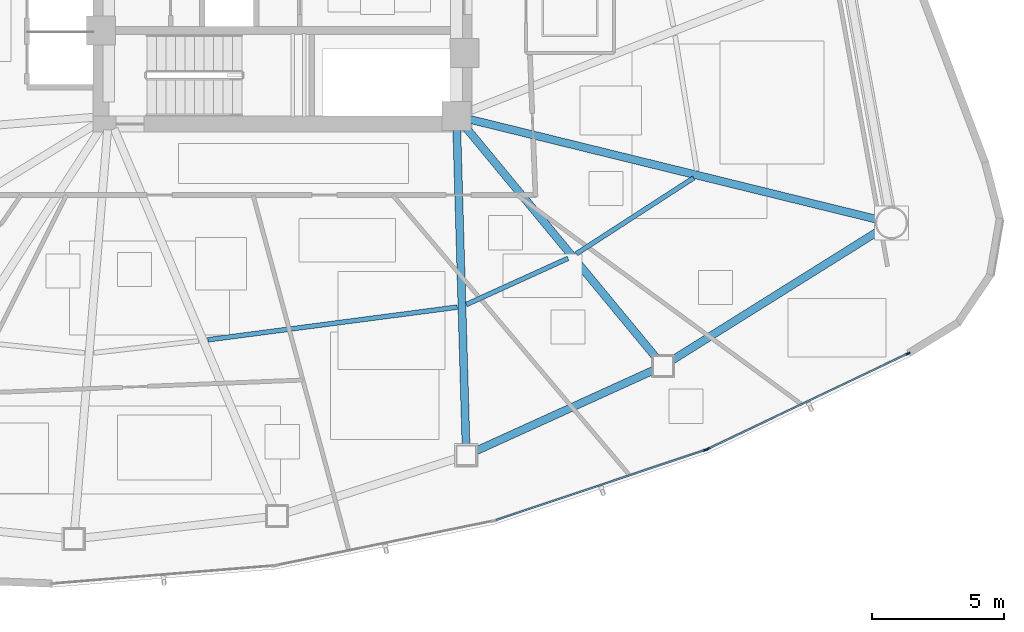
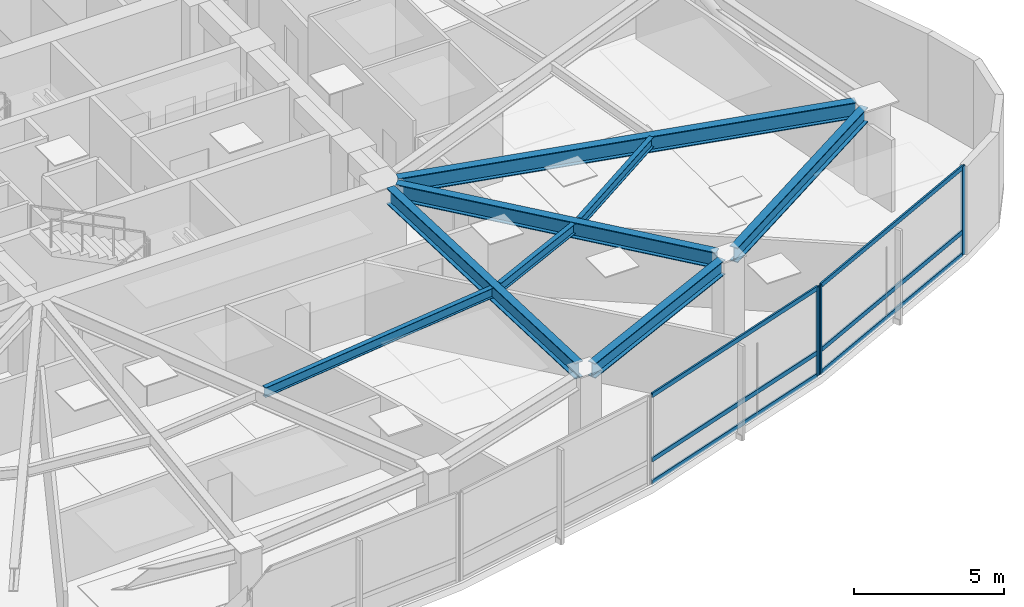
# One storey, part 6 of 18: 9 members, 8 beams, 2 elements without a shape of their own.
"""IFC4 building model written with IfcOpenShell, lengths in metres."""

from ifc_helpers import new_model, si_unit, direction, frame, origin, origin_2d, place, context, subcontext, project, spatial, hollow_rectangle, i_section, extrude, source, transform, mapped, material, layer, layer_set, material_profile, profile_set, type_object, type_shapes, element, aggregate, save


model = new_model("IFC4")

# Units and contexts
model_context = context("Model", 3, precision=1e-05, world=origin(), true_north=direction((0.0, 1.0)))
body_context = subcontext(model_context, "Body", "Model", "MODEL_VIEW")
ifc_project = project(units=[si_unit("LENGTHUNIT", "METRE"), si_unit("AREAUNIT", "SQUARE_METRE"), si_unit("VOLUMEUNIT", "CUBIC_METRE"), si_unit("PLANEANGLEUNIT", "RADIAN"), si_unit("MASSUNIT", "GRAM", prefix="KILO")], contexts=[model_context])

# Site, building, storey
site_placement = place(None, origin())
site = spatial("IfcSite", under=ifc_project, at=site_placement, CompositionType="ELEMENT")
building_placement = place(site_placement, origin())
building = spatial("IfcBuilding", under=site, at=building_placement, Name="Tavelor Broadcast Tower", CompositionType="ELEMENT")
storey_placement = place(building_placement, frame((0.0, 0.0, 58.800048828125)))
storey = spatial("IfcBuildingStorey", under=building, at=storey_placement, Name="L13", CompositionType="ELEMENT", Elevation=58.800048828125)

# Beams
ifc_material_1 = material(Name="Steel S355", Category="steel")
ifc_material_profile_1 = material_profile(ifc_material_1, i_section(OverallWidth=0.179931640625, OverallDepth=0.39990234375, WebThickness=0.008544921875, FlangeThickness=0.013427734375, at=origin_2d()), Name="IPE 400")
ifc_profile_set_1 = profile_set([ifc_material_profile_1], Name="Steel S355")
beam_type_1 = type_object("IfcBeamType", Name="Composite Floor Joist T1 IPE 400", PredefinedType="JOIST", material=ifc_profile_set_1)
beam_1_placement = place(storey_placement, frame((47.16259765625, 30.3056640625, 3.39990234375), z_axis=(0.991514230948, 0.129998191635, 0.0), x_axis=(-0.129998191635, 0.991514230948, 0.0)))
element("IfcBeam", 1, at=beam_1_placement, inside=storey, type_object=beam_type_1, Name="L13 Secondary Composite Floor Joist 10", PredefinedType="JOIST", context=body_context, shape_type="SweptSolid", body=[
    extrude(i_section(OverallWidth=0.179931640625, OverallDepth=0.39990234375, WebThickness=0.008544921875, FlangeThickness=0.013427734375, at=origin_2d()), origin(), (0.0, 0.0, 1.0), 9.5498046875),
])
beam_2_placement = place(storey_placement, frame((56.9755859375, 31.6455078125, 3.39990234375), z_axis=(0.910480737696, 0.413551479607, 0.0), x_axis=(-0.413551479607, 0.910480737696, 0.0)))
element("IfcBeam", 2, at=beam_2_placement, inside=storey, type_object=beam_type_1, Name="L13 Secondary Composite Floor Joist 11", PredefinedType="JOIST", context=body_context, shape_type="SweptSolid", body=[
    extrude(i_section(OverallWidth=0.179931640625, OverallDepth=0.39990234375, WebThickness=0.008544921875, FlangeThickness=0.013427734375, at=origin_2d()), origin(), (0.0, 0.0, 1.0), 4.242919921875),
])
beam_3_placement = place(storey_placement, frame((61.1552734375, 33.573486328125, 3.39990234375), z_axis=(0.839582514508, 0.543232179949, 0.0), x_axis=(-0.543232179949, 0.839582514508, 0.0)))
element("IfcBeam", 3, at=beam_3_placement, inside=storey, type_object=beam_type_1, Name="L13 Secondary Composite Floor Joist 12", PredefinedType="JOIST", context=body_context, shape_type="SweptSolid", body=[
    extrude(i_section(OverallWidth=0.179931640625, OverallDepth=0.39990234375, WebThickness=0.008544921875, FlangeThickness=0.013427734375, at=origin_2d()), origin(), (0.0, 0.0, 1.0), 5.300537109375),
])
ifc_material_profile_2 = material_profile(ifc_material_1, i_section(OverallWidth=0.300048828125, OverallDepth=0.60009765625, WebThickness=0.015380859375, FlangeThickness=0.030029296875, at=origin_2d()), Name="HEB 600")
ifc_profile_set_2 = profile_set([ifc_material_profile_2], Name="Steel S355")
beam_type_2 = type_object("IfcBeamType", Name="Perimeter Spandrel Beam T1 HEB 600", PredefinedType="SPANDREL", material=ifc_profile_set_2)
beam_4_placement = place(storey_placement, frame((57.324951171875, 26.080322265625, 3.300048828125), z_axis=(0.910424944341, 0.413674293039, 0.0), x_axis=(-0.413674293039, 0.910424944341, 0.0)))
element("IfcBeam", 4, at=beam_4_placement, inside=storey, type_object=beam_type_2, Name="L13 Framed-Tube Ring Spandrel 11", PredefinedType="SPANDREL", context=body_context, shape_type="SweptSolid", body=[
    extrude(i_section(OverallWidth=0.300048828125, OverallDepth=0.60009765625, WebThickness=0.015380859375, FlangeThickness=0.030029296875, at=origin_2d()), origin(), (0.0, 0.0, 1.0), 7.43505859375),
])
beam_5_placement = place(storey_placement, frame((64.76904296875, 29.518798828125, 3.300048828125), z_axis=(0.847667977469, 0.530527096361, 0.0), x_axis=(-0.530527096361, 0.847667977469, 0.0)))
element("IfcBeam", 5, at=beam_5_placement, inside=storey, type_object=beam_type_2, Name="L13 Framed-Tube Ring Spandrel 12", PredefinedType="SPANDREL", context=body_context, shape_type="SweptSolid", body=[
    extrude(i_section(OverallWidth=0.300048828125, OverallDepth=0.60009765625, WebThickness=0.015380859375, FlangeThickness=0.030029296875, at=origin_2d()), origin(), (0.0, 0.0, 1.0), 9.263916015625),
])
ifc_material_profile_3 = material_profile(ifc_material_1, i_section(OverallWidth=0.300048828125, OverallDepth=0.64990234375, WebThickness=0.01611328125, FlangeThickness=0.031005859375, at=origin_2d()), Name="HEB 650")
ifc_profile_set_3 = profile_set([ifc_material_profile_3], Name="Steel S355")
beam_type_3 = type_object("IfcBeamType", Name="Radial Floor Girder T1 HEB 650", PredefinedType="BEAM", material=ifc_profile_set_3)
beam_6_placement = place(storey_placement, frame((56.615478515625, 38.272216796875, 3.27490234375), z_axis=(0.02912098859, -0.999575894079, 0.0), x_axis=(0.999575894079, 0.02912098859, 0.0)))
element("IfcBeam", 6, at=beam_6_placement, inside=storey, type_object=beam_type_3, Name="L13 Radial Primary Floor Girder 11", PredefinedType="BEAM", context=body_context, shape_type="SweptSolid", body=[
    extrude(i_section(OverallWidth=0.300048828125, OverallDepth=0.64990234375, WebThickness=0.01611328125, FlangeThickness=0.031005859375, at=origin_2d()), origin(), (0.0, 0.0, 1.0), 11.971923828125),
])
beam_7_placement = place(storey_placement, frame((56.9365234375, 38.39306640625, 3.27490234375), z_axis=(0.63726338108, -0.770646081632, 0.0), x_axis=(0.770646081632, 0.63726338108, 0.0)))
element("IfcBeam", 7, at=beam_7_placement, inside=storey, type_object=beam_type_3, Name="L13 Radial Primary Floor Girder 12", PredefinedType="BEAM", context=body_context, shape_type="SweptSolid", body=[
    extrude(i_section(OverallWidth=0.300048828125, OverallDepth=0.64990234375, WebThickness=0.01611328125, FlangeThickness=0.031005859375, at=origin_2d()), origin(), (0.0, 0.0, 1.0), 11.39599609375),
])
beam_8_placement = place(storey_placement, frame((57.11279296875, 38.674072265625, 3.27490234375), z_axis=(0.971150402203, -0.23846780978, 0.0), x_axis=(0.23846780978, 0.971150402203, 0.0)))
element("IfcBeam", 8, at=beam_8_placement, inside=storey, type_object=beam_type_3, Name="L13 Radial Primary Floor Girder 13", PredefinedType="BEAM", context=body_context, shape_type="SweptSolid", body=[
    extrude(i_section(OverallWidth=0.300048828125, OverallDepth=0.64990234375, WebThickness=0.01611328125, FlangeThickness=0.031005859375, at=origin_2d()), origin(), (0.0, 0.0, 1.0), 15.895263671875),
])

# Curtain wall, member
ifc_material_2 = material(Name="Architectural Anodized Aluminium", Category="aluminium")
ifc_layer = layer(ifc_material_2, 0.179931640625)
ifc_layer_set = layer_set([ifc_layer], Name="Architectural Anodized Aluminium")
curtain_wall_type = type_object("IfcCurtainWallType", Name="Tower Low-Zone Unitised Curtain Wall CW02", PredefinedType="NOTDEFINED", material=ifc_layer_set)
curtain_wall_1_placement = place(storey_placement, origin())
curtain_wall_1 = element("IfcCurtainWall", 9, at=curtain_wall_1_placement, inside=storey, type_object=curtain_wall_type, Name="L13 Curtain Wall CW02 Run 115", PredefinedType="NOTDEFINED")
ifc_material_profile_4 = material_profile(ifc_material_2, hollow_rectangle(XDim=0.06494140625, YDim=0.179931640625, WallThickness=0.02197265625, at=origin_2d()), Name="RHS 65x180x22")
ifc_profile_set_4 = profile_set([ifc_material_profile_4], Name="Architectural Anodized Aluminium")
member_type_1 = type_object("IfcMemberType", Name="CW02 Extruded Aluminium Mullion 65x180", PredefinedType="MULLION", material=ifc_profile_set_4)
shared_shape_1 = source(origin(), body_context, "Body", "SweptSolid", [
    extrude(hollow_rectangle(XDim=0.06494140625, YDim=0.179931640625, WallThickness=0.02197265625, at=origin_2d()), origin(), (0.0, 0.0, 1.0), 3.599853515625),
])
type_shapes(member_type_1, [shared_shape_1])
member_1_placement = place(storey_placement, frame((66.052001953125, 26.12451171875, 0.0), z_axis=(0.0, 0.0, 1.0), x_axis=(-0.317732790798, 0.948180295963, 0.0)))
member_1 = element("IfcMember", 10, at=member_1_placement, type_object=member_type_1, Name="CW02 mullion 2", PredefinedType="MULLION", context=body_context, shape_type="MappedRepresentation", body=[
    mapped(shared_shape_1, transform((0.0, 0.0, 0.0), scale=1.0)),
])

# Curtain wall, members
curtain_wall_2_placement = place(storey_placement, origin())
curtain_wall_2 = element("IfcCurtainWall", 11, at=curtain_wall_2_placement, inside=storey, type_object=curtain_wall_type, Name="L13 Curtain Wall CW02 Run 116", PredefinedType="NOTDEFINED")
member_2_placement = place(storey_placement, frame((66.139892578125, 26.159912109375, 0.0), z_axis=(0.0, 0.0, 1.0), x_axis=(-0.430134391049, 0.902764867303, 0.0)))
member_2 = element("IfcMember", 12, at=member_2_placement, type_object=member_type_1, Name="CW02 mullion 1", PredefinedType="MULLION", context=body_context, shape_type="MappedRepresentation", body=[
    mapped(shared_shape_1, transform((0.0, 0.0, 0.0), scale=1.0)),
])
member_3_placement = place(storey_placement, frame((73.741455078125, 29.781982421875, 0.0), z_axis=(0.0, 0.0, 1.0), x_axis=(-0.430134391049, 0.902764867303, 0.0)))
member_3 = element("IfcMember", 13, at=member_3_placement, type_object=member_type_1, Name="CW02 mullion 2", PredefinedType="MULLION", context=body_context, shape_type="MappedRepresentation", body=[
    mapped(shared_shape_1, transform((0.0, 0.0, 0.0), scale=1.0)),
])

# Member
ifc_material_profile_5 = material_profile(ifc_material_2, hollow_rectangle(XDim=0.06494140625, YDim=0.179931640625, WallThickness=0.02197265625, at=origin_2d()), Name="RHS 65x180x22")
ifc_profile_set_5 = profile_set([ifc_material_profile_5], Name="Architectural Anodized Aluminium")
member_type_2 = type_object("IfcMemberType", Name="CW02 Extruded Aluminium Transom 65x180", PredefinedType="USERDEFINED", material=ifc_profile_set_5)
shared_shape_2 = source(origin(), body_context, "Body", "SweptSolid", [
    extrude(hollow_rectangle(XDim=0.06494140625, YDim=0.179931640625, WallThickness=0.02197265625, at=origin_2d()), origin(), (0.0, 0.0, 1.0), 8.33935546875),
])
member_4_placement = place(storey_placement, frame((58.11376953125, 23.46435546875, 0.032470703125), z_axis=(0.948172674717, 0.317755533265, 0.0), x_axis=(-0.317755533265, 0.948172674717, 0.0)))
member_4 = element("IfcMember", 14, at=member_4_placement, type_object=member_type_2, Name="CW02 transom 1.1", ObjectType="TRANSOM", PredefinedType="USERDEFINED", context=body_context, shape_type="MappedRepresentation", body=[
    mapped(shared_shape_2, transform((0.0, 0.0, 0.0), scale=1.0)),
])

member_5_placement = place(storey_placement, frame((58.11376953125, 23.46435546875, 0.949951171875), z_axis=(0.948172674717, 0.317755533265, 0.0), x_axis=(-0.317755533265, 0.948172674717, 0.0)))
member_5 = element("IfcMember", 15, at=member_5_placement, type_object=member_type_2, Name="CW02 transom 1.2", ObjectType="TRANSOM", PredefinedType="USERDEFINED", context=body_context, shape_type="MappedRepresentation", body=[
    mapped(shared_shape_2, transform((0.0, 0.0, 0.0), scale=1.0)),
])

member_6_placement = place(storey_placement, frame((58.11376953125, 23.46435546875, 3.5673828125), z_axis=(0.948172674717, 0.317755533265, 0.0), x_axis=(-0.317755533265, 0.948172674717, 0.0)))
member_6 = element("IfcMember", 16, at=member_6_placement, type_object=member_type_2, Name="CW02 transom 1.3", ObjectType="TRANSOM", PredefinedType="USERDEFINED", context=body_context, shape_type="MappedRepresentation", body=[
    mapped(shared_shape_2, transform((0.0, 0.0, 0.0), scale=1.0)),
])

aggregate(curtain_wall_1, [member_1, member_4, member_5, member_6])

shared_shape_3 = source(origin(), body_context, "Body", "SweptSolid", [
    extrude(hollow_rectangle(XDim=0.06494140625, YDim=0.179931640625, WallThickness=0.02197265625, at=origin_2d()), origin(), (0.0, 0.0, 1.0), 8.355224609375),
])
type_shapes(member_type_2, [shared_shape_2, shared_shape_3])
member_7_placement = place(storey_placement, frame((66.169189453125, 26.174072265625, 0.032470703125), z_axis=(0.902774083514, 0.430115047557, 0.0), x_axis=(-0.430115047557, 0.902774083514, 0.0)))
member_7 = element("IfcMember", 17, at=member_7_placement, type_object=member_type_2, Name="CW02 transom 1.1", ObjectType="TRANSOM", PredefinedType="USERDEFINED", context=body_context, shape_type="MappedRepresentation", body=[
    mapped(shared_shape_3, transform((0.0, 0.0, 0.0), scale=1.0)),
])

member_8_placement = place(storey_placement, frame((66.169189453125, 26.174072265625, 0.949951171875), z_axis=(0.902774083514, 0.430115047557, 0.0), x_axis=(-0.430115047557, 0.902774083514, 0.0)))
member_8 = element("IfcMember", 18, at=member_8_placement, type_object=member_type_2, Name="CW02 transom 1.2", ObjectType="TRANSOM", PredefinedType="USERDEFINED", context=body_context, shape_type="MappedRepresentation", body=[
    mapped(shared_shape_3, transform((0.0, 0.0, 0.0), scale=1.0)),
])

member_9_placement = place(storey_placement, frame((66.169189453125, 26.174072265625, 3.5673828125), z_axis=(0.902774083514, 0.430115047557, 0.0), x_axis=(-0.430115047557, 0.902774083514, 0.0)))
member_9 = element("IfcMember", 19, at=member_9_placement, type_object=member_type_2, Name="CW02 transom 1.3", ObjectType="TRANSOM", PredefinedType="USERDEFINED", context=body_context, shape_type="MappedRepresentation", body=[
    mapped(shared_shape_3, transform((0.0, 0.0, 0.0), scale=1.0)),
])

aggregate(curtain_wall_2, [member_2, member_3, member_7, member_8, member_9])

save(model, "model.ifc")
